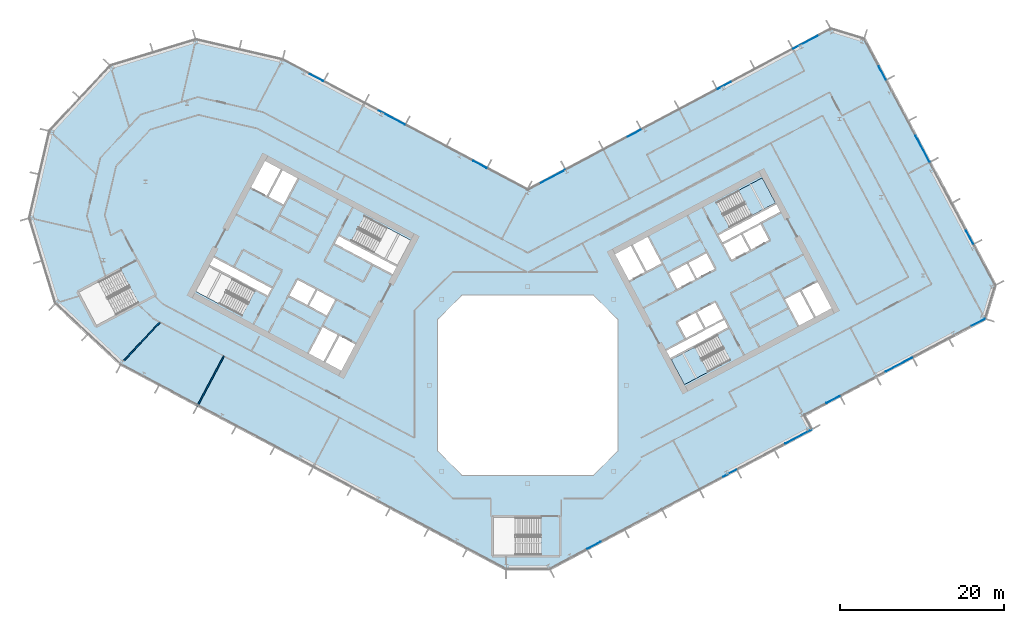
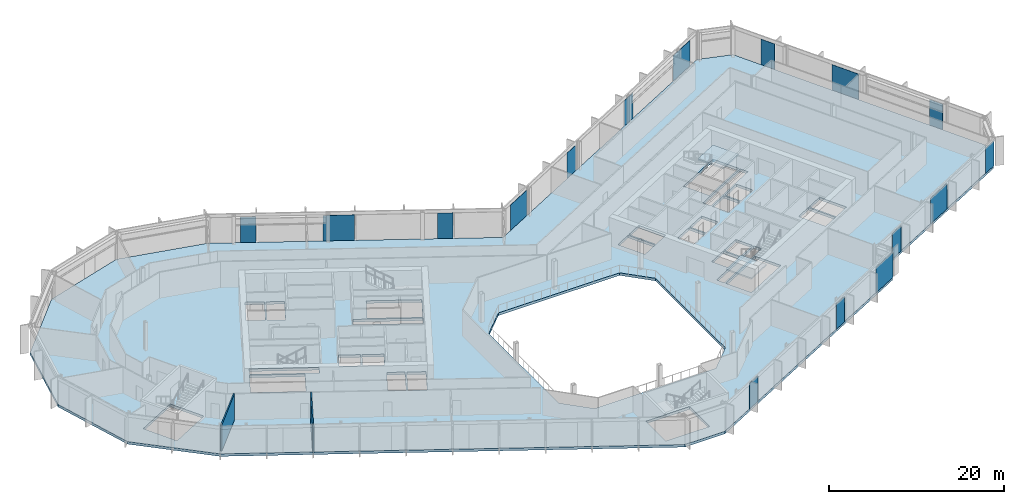
# One storey, part 12 of 28: 16 plates, 3 slabs, 2 walls, 7 elements without a shape of their own.
"""IFC4 building model written with IfcOpenShell, lengths in metres."""

import ifcopenshell
import ifcopenshell.guid

model = None  # the IFC model being written
_history = None  # IfcOwnerHistory: only IFC2X3 demands one
_inside = {}  # id of a spatial element -> (the spatial element, [elements in it])
_under = {}  # id of a project, library or spatial element -> (it, [spatial elements below it])
_declared = {}  # id of a project -> (the project, [libraries it declares])
_typed = {}  # id of a type object -> (the type object, [elements of that type])
_made_of = {}  # id of a material, layer set ... -> (it, [elements and type objects made of it])


def new_model(schema):
    """Start an empty IFC model of exactly this schema.

    Asked for "IFC4X3", IfcOpenShell would pick the latest addendum, in which some entities
    have other attributes; the version numbers below select the first issue.
    IFC2X3 requires an IfcOwnerHistory on every rooted entity: one is made here for all.
    """
    global model, _history
    if schema == "IFC4X3":
        model = ifcopenshell.file(schema_version=(4, 3, 0, 0))
    else:
        model = ifcopenshell.file(schema=schema)
    _inside.clear()
    _under.clear()
    _declared.clear()
    _typed.clear()
    _made_of.clear()
    _history = None
    if model.schema == "IFC2X3":
        org = make("IfcOrganization", Name="unknown")
        user = make(
            "IfcPersonAndOrganization",
            ThePerson=make("IfcPerson", FamilyName="unknown"),
            TheOrganization=org,
        )
        app = make(
            "IfcApplication",
            ApplicationDeveloper=org,
            Version="unknown",
            ApplicationFullName="unknown",
            ApplicationIdentifier="unknown",
        )
        _history = make(
            "IfcOwnerHistory",
            OwningUser=user,
            OwningApplication=app,
            ChangeAction="ADDED",
            CreationDate=0,
        )
    return model


def make(cls, **values):
    """One entity of the class cls with the attributes given. An attribute that is None is left unset."""
    return model.create_entity(
        cls, **{name: value for name, value in values.items() if value is not None}
    )


def rooted(cls, **values):
    """An entity with a GlobalId (a new one), such as an element, a storey or a relation."""
    return make(cls, GlobalId=ifcopenshell.guid.new(), OwnerHistory=_history, **values)


def si_unit(unit_type, name, prefix=None):
    """IfcSIUnit, for example si_unit("LENGTHUNIT", "METRE", prefix="MILLI")."""
    return make("IfcSIUnit", UnitType=unit_type, Prefix=prefix, Name=name)


def assignment(units):
    """IfcUnitAssignment: the units of a project."""
    return None if units is None else make("IfcUnitAssignment", Units=units)


def point(xyz):
    """IfcCartesianPoint."""
    return None if xyz is None else make("IfcCartesianPoint", Coordinates=xyz)


def direction(xyz):
    """IfcDirection."""
    return None if xyz is None else make("IfcDirection", DirectionRatios=xyz)


def frame(location, z_axis=None, x_axis=None):
    """IfcAxis2Placement3D, a coordinate frame: its origin and axes. An axis left out is left unset."""
    return make(
        "IfcAxis2Placement3D",
        Location=point(location),
        Axis=direction(z_axis),
        RefDirection=direction(x_axis),
    )


def frame_2d(location, x_axis=None):
    """IfcAxis2Placement2D, a coordinate frame in the plane: its origin and x axis."""
    return make(
        "IfcAxis2Placement2D", Location=point(location), RefDirection=direction(x_axis)
    )


def origin():
    """The frame at (0, 0, 0) with its axes left unset."""
    return frame((0.0, 0.0, 0.0))


def origin_2d():
    """The frame at (0, 0) in the plane with its x axis left unset."""
    return frame_2d((0.0, 0.0))


def place(relative_to, where):
    """IfcLocalPlacement: puts the frame where relative to a parent placement (None: the world)."""
    return make(
        "IfcLocalPlacement", PlacementRelTo=relative_to, RelativePlacement=where
    )


def context(
    kind, dimensions, precision=None, world=None, true_north=None, identifier=None
):
    """IfcGeometricRepresentationContext, for example the 3D "Model" context."""
    return make(
        "IfcGeometricRepresentationContext",
        ContextIdentifier=identifier,
        ContextType=kind,
        CoordinateSpaceDimension=dimensions,
        Precision=precision,
        WorldCoordinateSystem=world,
        TrueNorth=true_north,
    )


def subcontext(parent, identifier, kind, view, scale=None):
    """IfcGeometricRepresentationSubContext, for example "Body" below "Model"."""
    return make(
        "IfcGeometricRepresentationSubContext",
        ContextIdentifier=identifier,
        ContextType=kind,
        ParentContext=parent,
        TargetScale=scale,
        TargetView=view,
    )


def project(units=None, contexts=None):
    """IfcProject with its units and contexts."""
    return rooted(
        "IfcProject",
        Name="project",
        RepresentationContexts=contexts,
        UnitsInContext=assignment(units),
    )


def spatial(cls, under=None, at=None, **own):
    """A site, building, storey or space (cls), placed at a placement, below another one or the project."""
    s = rooted(cls, ObjectPlacement=at, **own)
    if under is not None:
        _under.setdefault(under.id(), (under, []))[1].append(s)
    return s


def polyline(points):
    """IfcPolyline through the points."""
    return make("IfcPolyline", Points=[point(p) for p in points])


def profile(cls, at=None, kind="AREA", **sizes):
    """A parametric profile (cls). Its sizes go by their IFC names, for example OverallWidth=200.0."""
    return make(cls, ProfileType=kind, Position=at, **sizes)


def rectangle(**sizes):
    """IfcRectangleProfileDef."""
    return profile("IfcRectangleProfileDef", **sizes)


def outline(outer, holes=None, kind="AREA"):
    """IfcArbitraryClosedProfileDef: a profile drawn as a closed curve; with holes, ...WithVoids."""
    if holes is None:
        return make("IfcArbitraryClosedProfileDef", ProfileType=kind, OuterCurve=outer)
    return make(
        "IfcArbitraryProfileDefWithVoids",
        ProfileType=kind,
        OuterCurve=outer,
        InnerCurves=holes,
    )


def extrude(swept, where, along, depth):
    """IfcExtrudedAreaSolid: the profile swept, set in the frame where, extruded along a direction by depth."""
    return make(
        "IfcExtrudedAreaSolid",
        SweptArea=swept,
        Position=where,
        ExtrudedDirection=direction(along),
        Depth=depth,
    )


def shape(context_of_items, identifier, shape_type, items):
    """IfcShapeRepresentation: the items that make up one representation, for example the "Body"."""
    return make(
        "IfcShapeRepresentation",
        ContextOfItems=context_of_items,
        RepresentationIdentifier=identifier,
        RepresentationType=shape_type,
        Items=items,
    )


def material(Name=None, Category=None):
    """IfcMaterial."""
    return make("IfcMaterial", Name=Name, Category=Category)


def layer(
    of_material, thickness, ventilated=None, Name=None, Category=None, Priority=None
):
    """IfcMaterialLayer: one layer of a wall or slab, of a material (None: an air gap)."""
    return make(
        "IfcMaterialLayer",
        Material=of_material,
        LayerThickness=thickness,
        IsVentilated=ventilated,
        Name=Name,
        Category=Category,
        Priority=Priority,
    )


def layer_set(layers, Name=None):
    """IfcMaterialLayerSet."""
    return make("IfcMaterialLayerSet", MaterialLayers=layers, LayerSetName=Name)


def made_of(thing, what):
    """Note that an element or type object is made of a material, layer set ...; save() writes the relation."""
    if what is not None:
        _made_of.setdefault(what.id(), (what, []))[1].append(thing)
    return thing


def type_object(cls, material=None, **own):
    """A type object (cls), such as IfcWallType, which elements share."""
    return made_of(rooted(cls, **own), material)


def element(
    cls,
    number,
    at=None,
    inside=None,
    cuts=None,
    type_object=None,
    material=None,
    context=None,
    identifier="Body",
    shape_type=None,
    held_by="IfcProductDefinitionShape",
    body=None,
    shapes=None,
    **own,
):
    """One element of the class cls, such as IfcWall. Its Tag is "e" and its number.

    at: its placement. inside: the storey or other place that contains it. cuts: it is an
    opening in that element (IfcRelVoidsElement). A single representation is given by context,
    identifier, shape_type and body (its items); several are given by shapes. held_by: the class
    of the entity that holds the representations. save() writes the other relations.
    """
    e = rooted(cls, Tag="e%d" % number, ObjectPlacement=at, **own)
    if body is not None:
        shapes = [shape(context, identifier, shape_type, body)]
    if shapes is not None:
        e.Representation = make(held_by, Representations=shapes)
    if inside is not None:
        _inside.setdefault(inside.id(), (inside, []))[1].append(e)
    if cuts is not None:
        rooted(
            "IfcRelVoidsElement", RelatingBuildingElement=cuts, RelatedOpeningElement=e
        )
    if type_object is not None:
        _typed.setdefault(type_object.id(), (type_object, []))[1].append(e)
    return made_of(e, material)


def aggregate(whole, parts):
    """IfcRelAggregates: a whole, such as a stair, and the parts it consists of."""
    return rooted("IfcRelAggregates", RelatingObject=whole, RelatedObjects=parts)


def save(model, path):
    """Write the relations noted so far, then the file.

    IfcRelAggregates (storeys below a building ...), IfcRelContainedInSpatialStructure (elements
    in a storey), IfcRelDefinesByType, IfcRelAssociatesMaterial and IfcRelDeclares: one each for
    every whole, place, type object, material and project.
    """
    for whole, parts in _under.values():
        aggregate(whole, parts)
    for where, things in _inside.values():
        rooted(
            "IfcRelContainedInSpatialStructure",
            RelatedElements=things,
            RelatingStructure=where,
        )
    for kind, things in _typed.values():
        rooted("IfcRelDefinesByType", RelatedObjects=things, RelatingType=kind)
    for what, things in _made_of.values():
        rooted("IfcRelAssociatesMaterial", RelatedObjects=things, RelatingMaterial=what)
    for by, libraries in _declared.values():
        rooted("IfcRelDeclares", RelatingContext=by, RelatedDefinitions=libraries)
    model.write(path)


model = new_model("IFC4")

# Units and contexts
model_context = context("Model", 3, precision=1e-05, world=origin(), true_north=direction((0.0, 1.0)))
body_context = subcontext(model_context, "Body", "Model", "MODEL_VIEW")
ifc_project = project(units=[si_unit("LENGTHUNIT", "METRE"), si_unit("AREAUNIT", "SQUARE_METRE"), si_unit("VOLUMEUNIT", "CUBIC_METRE"), si_unit("PLANEANGLEUNIT", "RADIAN"), si_unit("MASSUNIT", "GRAM", prefix="KILO")], contexts=[model_context])

# Site, building, storey
site_placement = place(None, origin())
site = spatial("IfcSite", under=ifc_project, at=site_placement, CompositionType="ELEMENT")
building_placement = place(site_placement, origin())
building = spatial("IfcBuilding", under=site, at=building_placement, Name="Cormorant Relay Tower", CompositionType="ELEMENT")
storey_placement = place(building_placement, frame((0.0, 0.0, 130.199951171875)))
storey = spatial("IfcBuildingStorey", under=building, at=storey_placement, Name="L26", CompositionType="ELEMENT", Elevation=130.199951171875)

# Curtain wall, plates
ifc_material_1 = material(Name="Aluminium 6063-T6 anodised bronze", Category="aluminium")
ifc_layer_1 = layer(ifc_material_1, 0.199951171875)
ifc_layer_set_1 = layer_set([ifc_layer_1], Name="CW1 unitised bronze curtain wall with vertical fins")
curtain_wall_type = type_object("IfcCurtainWallType", Name="CW1 unitised bronze curtain wall with vertical fins", PredefinedType="NOTDEFINED", material=ifc_layer_set_1)
curtain_wall_1_placement = place(storey_placement, origin())
curtain_wall_1 = element("IfcCurtainWall", 1, at=curtain_wall_1_placement, inside=storey, type_object=curtain_wall_type, Name="CW1 curtain wall 2", PredefinedType="NOTDEFINED")
ifc_material_2 = material(Name="Tinted laminated glass", Category="glass")
ifc_layer_2 = layer(ifc_material_2, 0.0400390625)
ifc_layer_set_2 = layer_set([ifc_layer_2], Name="CW1 tinted vision panel 1800 module")
plate_type_1 = type_object("IfcPlateType", Name="CW1 tinted vision panel 1800 module", PredefinedType="CURTAIN_PANEL", material=ifc_layer_set_2)
plate_1_placement = place(storey_placement, frame((8.080810546875, -19.510009765625, 0.0), z_axis=(0.0, 0.0, 1.0), x_axis=(0.882947592859, 0.469471562786, 0.0)))
plate_1 = element("IfcPlate", 2, at=plate_1_placement, type_object=plate_type_1, Name="CW1 panel V01", PredefinedType="CURTAIN_PANEL", context=body_context, shape_type="SweptSolid", body=[
    extrude(rectangle(XDim=1.800048828125, YDim=0.0400390625, at=origin_2d()), origin(), (0.0, 0.0, 1.0), 3.550048828125),
])
plate_2_placement = place(storey_placement, frame((24.6064453125, -10.72314453125, 0.0), z_axis=(0.0, 0.0, 1.0), x_axis=(0.882947592859, 0.469471562786, 0.0)))
plate_2 = element("IfcPlate", 3, at=plate_2_placement, type_object=plate_type_1, Name="CW1 panel V04", PredefinedType="CURTAIN_PANEL", context=body_context, shape_type="SweptSolid", body=[
    extrude(rectangle(XDim=1.800048828125, YDim=0.0400390625, at=origin_2d()), origin(), (0.0, 0.0, 1.0), 3.550048828125),
])

curtain_wall_2_placement = place(storey_placement, origin())
curtain_wall_2 = element("IfcCurtainWall", 4, at=curtain_wall_2_placement, inside=storey, type_object=curtain_wall_type, Name="CW1 curtain wall 4", PredefinedType="NOTDEFINED")
plate_3_placement = place(storey_placement, frame((37.205810546875, -1.7587890625, 0.0), z_axis=(0.0, 0.0, 1.0), x_axis=(0.882947592859, 0.469471562786, 0.0)))
plate_3 = element("IfcPlate", 5, at=plate_3_placement, type_object=plate_type_1, Name="CW1 panel V01", PredefinedType="CURTAIN_PANEL", context=body_context, shape_type="SweptSolid", body=[
    extrude(rectangle(XDim=1.800048828125, YDim=0.0400390625, at=origin_2d()), origin(), (0.0, 0.0, 1.0), 3.550048828125),
])
plate_4_placement = place(storey_placement, frame((54.930908203125, 7.665771484375, 0.0), z_axis=(0.0, 0.0, 1.0), x_axis=(0.882947592859, 0.469471562786, 0.0)))
plate_4 = element("IfcPlate", 6, at=plate_4_placement, type_object=plate_type_1, Name="CW1 panel V05", PredefinedType="CURTAIN_PANEL", context=body_context, shape_type="SweptSolid", body=[
    extrude(rectangle(XDim=1.800048828125, YDim=0.0400390625, at=origin_2d()), origin(), (0.0, 0.0, 1.0), 3.550048828125),
])

curtain_wall_3_placement = place(storey_placement, origin())
curtain_wall_3 = element("IfcCurtainWall", 7, at=curtain_wall_3_placement, inside=storey, type_object=curtain_wall_type, Name="CW1 curtain wall 6", PredefinedType="NOTDEFINED")
plate_5_placement = place(storey_placement, frame((53.856201171875, 18.036865234375, 0.0), z_axis=(0.0, 0.0, 1.0), x_axis=(-0.469471562786, 0.882947592859, 0.0)))
plate_5 = element("IfcPlate", 8, at=plate_5_placement, type_object=plate_type_1, Name="CW1 panel V01", PredefinedType="CURTAIN_PANEL", context=body_context, shape_type="SweptSolid", body=[
    extrude(rectangle(XDim=1.800048828125, YDim=0.0400390625, at=origin_2d()), origin(), (0.0, 0.0, 1.0), 3.550048828125),
])
plate_6_placement = place(storey_placement, frame((43.21484375, 38.05029296875, 0.0), z_axis=(0.0, 0.0, 1.0), x_axis=(-0.469471562786, 0.882947592859, 0.0)))
plate_6 = element("IfcPlate", 9, at=plate_6_placement, type_object=plate_type_1, Name="CW1 panel V05", PredefinedType="CURTAIN_PANEL", context=body_context, shape_type="SweptSolid", body=[
    extrude(rectangle(XDim=1.800048828125, YDim=0.0400390625, at=origin_2d()), origin(), (0.0, 0.0, 1.0), 3.550048828125),
])

curtain_wall_4_placement = place(storey_placement, origin())
curtain_wall_4 = element("IfcCurtainWall", 10, at=curtain_wall_4_placement, inside=storey, type_object=curtain_wall_type, Name="CW1 curtain wall 8", PredefinedType="NOTDEFINED")
plate_7_placement = place(storey_placement, frame((23.937255859375, 36.5341796875, 0.0), z_axis=(0.0, 0.0, 1.0), x_axis=(-0.882947592859, -0.469471562786, 0.0)))
plate_7 = element("IfcPlate", 11, at=plate_7_placement, type_object=plate_type_1, Name="CW1 panel V03", PredefinedType="CURTAIN_PANEL", context=body_context, shape_type="SweptSolid", body=[
    extrude(rectangle(XDim=1.800048828125, YDim=0.0400390625, at=origin_2d()), origin(), (0.0, 0.0, 1.0), 3.550048828125),
])
plate_8_placement = place(storey_placement, frame((12.981201171875, 30.708984375, 0.0), z_axis=(0.0, 0.0, 1.0), x_axis=(-0.882947592859, -0.469471562786, 0.0)))
plate_8 = element("IfcPlate", 12, at=plate_8_placement, type_object=plate_type_1, Name="CW1 panel V05", PredefinedType="CURTAIN_PANEL", context=body_context, shape_type="SweptSolid", body=[
    extrude(rectangle(XDim=1.800048828125, YDim=0.0400390625, at=origin_2d()), origin(), (0.0, 0.0, 1.0), 3.550048828125),
])

curtain_wall_5_placement = place(storey_placement, origin())
curtain_wall_5 = element("IfcCurtainWall", 13, at=curtain_wall_5_placement, inside=storey, type_object=curtain_wall_type, Name="CW1 curtain wall 9", PredefinedType="NOTDEFINED")
plate_9_placement = place(storey_placement, frame((-5.830322265625, 26.90673828125, 0.0), z_axis=(0.0, 0.0, 1.0), x_axis=(-0.882947592859, 0.469471562786, 0.0)))
plate_9 = element("IfcPlate", 14, at=plate_9_placement, type_object=plate_type_1, Name="CW1 panel V01", PredefinedType="CURTAIN_PANEL", context=body_context, shape_type="SweptSolid", body=[
    extrude(rectangle(XDim=1.800048828125, YDim=0.0400390625, at=origin_2d()), origin(), (0.0, 0.0, 1.0), 3.550048828125),
])
plate_10_placement = place(storey_placement, frame((-25.746337890625, 37.49609375, 0.0), z_axis=(0.0, 0.0, 1.0), x_axis=(-0.882947592859, 0.469471562786, 0.0)))
plate_10 = element("IfcPlate", 15, at=plate_10_placement, type_object=plate_type_1, Name="CW1 panel V05", PredefinedType="CURTAIN_PANEL", context=body_context, shape_type="SweptSolid", body=[
    extrude(rectangle(XDim=1.800048828125, YDim=0.0400390625, at=origin_2d()), origin(), (0.0, 0.0, 1.0), 3.550048828125),
])

# Plate
ifc_material_3 = material(Name="Tinted laminated glass", Category="glass")
ifc_layer_3 = layer(ifc_material_3, 0.0400390625)
ifc_layer_set_3 = layer_set([ifc_layer_3], Name="CW1 tinted vision panel 3600 module")
plate_type_2 = type_object("IfcPlateType", Name="CW1 tinted vision panel 3600 module", PredefinedType="CURTAIN_PANEL", material=ifc_layer_set_3)
plate_11_placement = place(storey_placement, frame((33.00146484375, -6.259521484375, 0.0), z_axis=(0.0, 0.0, 1.0), x_axis=(0.882947592859, 0.469471562786, 0.0)))
plate_11 = element("IfcPlate", 16, at=plate_11_placement, type_object=plate_type_2, Name="CW1 panel V06", PredefinedType="CURTAIN_PANEL", context=body_context, shape_type="SweptSolid", body=[
    extrude(rectangle(XDim=3.60009765625, YDim=0.0400390625, at=origin_2d()), origin(), (0.0, 0.0, 1.0), 3.550048828125),
])

aggregate(curtain_wall_1, [plate_1, plate_2, plate_11])

plate_12_placement = place(storey_placement, frame((45.240478515625, 2.513427734375, 0.0), z_axis=(0.0, 0.0, 1.0), x_axis=(0.882947592859, 0.469471562786, 0.0)))
plate_12 = element("IfcPlate", 17, at=plate_12_placement, type_object=plate_type_2, Name="CW1 panel V03", PredefinedType="CURTAIN_PANEL", context=body_context, shape_type="SweptSolid", body=[
    extrude(rectangle(XDim=3.60009765625, YDim=0.0400390625, at=origin_2d()), origin(), (0.0, 0.0, 1.0), 3.550048828125),
])

aggregate(curtain_wall_2, [plate_3, plate_12, plate_4])

plate_13_placement = place(storey_placement, frame((48.113037109375, 28.83837890625, 0.0), z_axis=(0.0, 0.0, 1.0), x_axis=(-0.469471562786, 0.882947592859, 0.0)))
plate_13 = element("IfcPlate", 18, at=plate_13_placement, type_object=plate_type_2, Name="CW1 panel V03", PredefinedType="CURTAIN_PANEL", context=body_context, shape_type="SweptSolid", body=[
    extrude(rectangle(XDim=3.60009765625, YDim=0.0400390625, at=origin_2d()), origin(), (0.0, 0.0, 1.0), 3.550048828125),
])

aggregate(curtain_wall_3, [plate_5, plate_13, plate_6])

plate_14_placement = place(storey_placement, frame((33.96630859375, 41.86669921875, 0.0), z_axis=(0.0, 0.0, 1.0), x_axis=(-0.882947592859, -0.469471562786, 0.0)))
plate_14 = element("IfcPlate", 19, at=plate_14_placement, type_object=plate_type_2, Name="CW1 panel V01", PredefinedType="CURTAIN_PANEL", context=body_context, shape_type="SweptSolid", body=[
    extrude(rectangle(XDim=3.60009765625, YDim=0.0400390625, at=origin_2d()), origin(), (0.0, 0.0, 1.0), 3.550048828125),
])

plate_15_placement = place(storey_placement, frame((2.9521484375, 25.37646484375, 0.0), z_axis=(0.0, 0.0, 1.0), x_axis=(-0.882947592859, -0.469471562786, 0.0)))
plate_15 = element("IfcPlate", 20, at=plate_15_placement, type_object=plate_type_2, Name="CW1 panel V07", PredefinedType="CURTAIN_PANEL", context=body_context, shape_type="SweptSolid", body=[
    extrude(rectangle(XDim=3.60009765625, YDim=0.0400390625, at=origin_2d()), origin(), (0.0, 0.0, 1.0), 3.550048828125),
])

aggregate(curtain_wall_4, [plate_14, plate_7, plate_8, plate_15])

plate_16_placement = place(storey_placement, frame((-16.5830078125, 32.6240234375, 0.0), z_axis=(0.0, 0.0, 1.0), x_axis=(-0.882947592859, 0.469471562786, 0.0)))
plate_16 = element("IfcPlate", 21, at=plate_16_placement, type_object=plate_type_2, Name="CW1 panel V03", PredefinedType="CURTAIN_PANEL", context=body_context, shape_type="SweptSolid", body=[
    extrude(rectangle(XDim=3.60009765625, YDim=0.0400390625, at=origin_2d()), origin(), (0.0, 0.0, 1.0), 3.550048828125),
])

aggregate(curtain_wall_5, [plate_9, plate_16, plate_10])

# Stair, slab
ifc_material_4 = material(Name="Concrete 40 MPa", Category="concrete")
stair_type = type_object("IfcStairType", Name="Exit stair 1500", PredefinedType="HALF_TURN_STAIR", material=ifc_material_4)
stair_1_placement = place(storey_placement, origin())
stair_1 = element("IfcStair", 22, at=stair_1_placement, inside=storey, type_object=stair_type, Name="L26 Stair", PredefinedType="HALF_TURN_STAIR")
ifc_material_5 = material(Name="Concrete 40 MPa", Category="concrete")
ifc_layer_4 = layer(ifc_material_5, 0.199951171875)
ifc_layer_set_4 = layer_set([ifc_layer_4], Name="Exit stair landing 200")
slab_type_1 = type_object("IfcSlabType", Name="Exit stair landing 200", PredefinedType="LANDING", material=ifc_layer_set_4)
slab_1_placement = place(storey_placement, frame((0.0, 0.0, 1.800048828125)))
slab_1 = element("IfcSlab", 23, at=slab_1_placement, type_object=slab_type_1, Name="B1 landing 1", PredefinedType="LANDING", context=body_context, shape_type="SweptSolid", body=[
    extrude(outline(polyline([(20.36767578125, 4.6572265625), (17.48046875, 3.1220703125), (19.10009765625, 0.075927734375), (21.9873046875, 1.611083984375), (20.36767578125, 4.6572265625)])), origin(), (0.0, 0.0, 1.0), 0.199951171875),
])
aggregate(stair_1, [slab_1])

stair_2_placement = place(storey_placement, origin())
stair_2 = element("IfcStair", 24, at=stair_2_placement, inside=storey, type_object=stair_type, Name="L26 Stair", PredefinedType="HALF_TURN_STAIR")
slab_2_placement = place(storey_placement, frame((0.0, 0.0, 1.800048828125)))
slab_2 = element("IfcSlab", 25, at=slab_2_placement, type_object=slab_type_1, Name="B2 landing 1", PredefinedType="LANDING", context=body_context, shape_type="SweptSolid", body=[
    extrude(outline(polyline([(27.3115234375, 20.6943359375), (30.19873046875, 22.2294921875), (28.5791015625, 25.275634765625), (25.69189453125, 23.740478515625), (27.3115234375, 20.6943359375)])), origin(), (0.0, 0.0, 1.0), 0.199951171875),
])
aggregate(stair_2, [slab_2])

# Slab
ifc_material_6 = material(Name="Concrete 40 MPa", Category="concrete")
ifc_layer_5 = layer(ifc_material_6, 0.360107421875)
ifc_layer_set_5 = layer_set([ifc_layer_5], Name="Flat plate 360")
slab_type_2 = type_object("IfcSlabType", Name="Flat plate 360", PredefinedType="FLOOR", material=ifc_layer_set_5)
slab_3_placement = place(storey_placement, frame((0.0, 0.0, -0.35986328125)))
element("IfcSlab", 26, at=slab_3_placement, inside=storey, type_object=slab_type_2, Name="Floor slab L26", PredefinedType="FLOOR", context=body_context, shape_type="SweptSolid", body=[
    extrude(outline(polyline([(-60.7197265625, 20.393310546875), (-58.2744140625, 30.985107421875), (-50.86083984375, 38.935302734375), (-40.465576171875, 42.11328125), (-29.873779296875, 39.668212890625), (0.0, 23.783935546875), (36.937255859375, 43.423828125), (40.99462890625, 42.18359375), (56.95654296875, 12.1630859375), (55.71630859375, 8.10595703125), (33.642578125, -3.630859375), (34.581298828125, -5.396728515625), (2.648681640625, -22.37548828125), (-2.648681640625, -22.37548828125), (-49.591552734375, 2.584228515625), (-57.541748046875, 9.997802734375), (-60.7197265625, 20.393310546875)]), holes=[polyline([(11.0, -8.0), (11.0, 8.0), (8.0, 11.0), (-8.0, 11.0), (-11.0, 8.0), (-11.0, -8.0), (-8.0, -11.0), (8.0, -11.0), (11.0, -8.0)]), polyline([(-4.199951171875, -16.125), (-4.199951171875, -20.675048828125), (1.60009765625, -20.675048828125), (1.60009765625, -16.125), (-4.199951171875, -16.125)]), polyline([(-22.95458984375, 6.03271484375), (-24.668212890625, 2.81005859375), (-22.725830078125, 1.777099609375), (-21.01220703125, 5.0), (-23.04296875, 6.07958984375), (-22.95458984375, 6.03271484375)]), polyline([(-24.985595703125, 7.112548828125), (-26.69921875, 3.889892578125), (-24.844970703125, 2.90380859375), (-23.13134765625, 6.126708984375), (-23.04296875, 6.07958984375), (-24.985595703125, 7.112548828125)]), polyline([(-26.688720703125, 9.660400390625), (-24.481201171875, 8.48681640625), (-23.448486328125, 10.42919921875), (-25.656005859375, 11.602783203125), (-26.688720703125, 9.660400390625)]), polyline([(-49.57861328125, 14.0537109375), (-54.69970703125, 11.330810546875), (-52.563720703125, 7.3134765625), (-47.442626953125, 10.036376953125), (-49.57861328125, 14.0537109375)]), polyline([(-28.039794921875, 12.870361328125), (-29.07275390625, 10.927978515625), (-26.865234375, 9.75439453125), (-25.83251953125, 11.69677734375), (-28.039794921875, 12.870361328125)]), polyline([(-38.847900390625, 14.483154296875), (-40.46728515625, 11.43701171875), (-34.860595703125, 8.455810546875), (-33.240966796875, 11.502197265625), (-38.847900390625, 14.483154296875)]), polyline([(-38.260986328125, 15.5869140625), (-38.75390625, 14.659912109375), (-31.690185546875, 10.904052734375), (-31.197265625, 11.8310546875), (-38.260986328125, 15.5869140625)]), polyline([(14.3056640625, 13.779052734375), (12.592041015625, 17.001708984375), (10.649658203125, 15.968994140625), (12.36328125, 12.74609375), (14.39404296875, 13.825927734375), (14.3056640625, 13.779052734375)]), polyline([(16.33642578125, 14.85888671875), (14.622802734375, 18.08154296875), (12.768798828125, 17.095703125), (14.482421875, 13.872802734375), (14.39404296875, 13.825927734375), (16.33642578125, 14.85888671875)]), polyline([(-16.481689453125, 13.520263671875), (-15.989013671875, 14.447509765625), (-23.052490234375, 18.203125), (-23.54541015625, 17.276123046875), (-16.481689453125, 13.520263671875)]), polyline([(-21.501708984375, 17.605224609375), (-15.89501953125, 14.6240234375), (-14.275390625, 17.670166015625), (-19.882080078125, 20.6513671875), (-21.501708984375, 17.605224609375)]), polyline([(-31.611572265625, 22.980712890625), (-29.75732421875, 21.99462890625), (-28.043701171875, 25.217529296875), (-29.89794921875, 26.203369140625), (-31.611572265625, 22.980712890625)]), polyline([(-32.01708984375, 27.330078125), (-33.73046875, 24.107421875), (-31.7880859375, 23.074462890625), (-30.074462890625, 26.29736328125), (-32.01708984375, 27.330078125)]), polyline([(17.48046875, 3.1220703125), (19.10009765625, 0.07568359375), (24.706787109375, 3.056884765625), (23.087158203125, 6.10302734375), (17.48046875, 3.1220703125)]), polyline([(16.8935546875, 4.2255859375), (17.386474609375, 3.298583984375), (24.4501953125, 7.054443359375), (23.957275390625, 7.9814453125), (16.8935546875, 4.2255859375)]), polyline([(20.446533203125, 8.8330078125), (18.239013671875, 7.6591796875), (19.27197265625, 5.716796875), (21.479248046875, 6.890380859375), (20.446533203125, 8.8330078125)]), polyline([(20.623046875, 8.927001953125), (21.656005859375, 6.984375), (23.86328125, 8.158203125), (22.830322265625, 10.1005859375), (20.623046875, 8.927001953125)]), polyline([(33.197021484375, 11.478515625), (31.3427734375, 10.49267578125), (33.056396484375, 7.27001953125), (34.910400390625, 8.255859375), (33.197021484375, 11.478515625)]), polyline([(33.37353515625, 11.572509765625), (35.087158203125, 8.349609375), (37.029541015625, 9.382568359375), (35.31591796875, 12.605224609375), (33.37353515625, 11.572509765625)]), polyline([(17.19384765625, 13.67236328125), (18.2265625, 11.72998046875), (20.43408203125, 12.903564453125), (19.401123046875, 14.84619140625), (17.19384765625, 13.67236328125)]), polyline([(20.610595703125, 12.99755859375), (22.81787109375, 14.171142578125), (21.78515625, 16.113525390625), (19.57763671875, 14.93994140625), (20.610595703125, 12.99755859375)]), polyline([(26.023193359375, 18.3671875), (23.81591796875, 17.193359375), (24.8486328125, 15.2509765625), (27.05615234375, 16.424560546875), (26.023193359375, 18.3671875)]), polyline([(29.440185546875, 17.692138671875), (28.4072265625, 19.634765625), (26.19970703125, 18.4609375), (27.232666015625, 16.5185546875), (29.440185546875, 17.692138671875)]), polyline([(30.78564453125, 21.125732421875), (30.29248046875, 22.052978515625), (23.22900390625, 18.297119140625), (23.721923828125, 17.3701171875), (30.78564453125, 21.125732421875)]), polyline([(24.592041015625, 19.248291015625), (30.19873046875, 22.2294921875), (28.5791015625, 25.275634765625), (22.972412109375, 22.29443359375), (24.592041015625, 19.248291015625)])]), origin(), (0.0, 0.0, 1.0), 0.35986328125),
])

# Walls
ifc_material_7 = material(Name="Gypsum board partition")
ifc_layer_6 = layer(ifc_material_7, 0.14990234375)
ifc_layer_set_6 = layer_set([ifc_layer_6], Name="Tenant partition 150")
wall_type = type_object("IfcWallType", Name="Tenant partition 150", PredefinedType="PARTITIONING", material=ifc_layer_set_6)
wall_1_placement = place(storey_placement, frame((-44.825927734375, 7.695068359375, 0.0), z_axis=(0.0, 0.0, 1.0), x_axis=(-0.681994231605, -0.731357551446, 0.0)))
element("IfcWall", 27, at=wall_1_placement, inside=storey, type_object=wall_type, Name="wall/L26/part/011", PredefinedType="PARTITIONING", context=body_context, shape_type="SweptSolid", body=[
    extrude(rectangle(XDim=6.4443359375, YDim=0.14990234375, at=frame_2d((3.22216796875, 0.0))), origin(), (0.0, 0.0, 1.0), 3.64013671875),
])
wall_2_placement = place(storey_placement, frame((-37.033935546875, 3.552001953125, 0.0), z_axis=(0.0, 0.0, 1.0), x_axis=(-0.469541311651, -0.882910503196, 0.0)))
element("IfcWall", 28, at=wall_2_placement, inside=storey, type_object=wall_type, Name="wall/L26/part/012", PredefinedType="PARTITIONING", context=body_context, shape_type="SweptSolid", body=[
    extrude(rectangle(XDim=6.94970703125, YDim=0.14990234375, at=frame_2d((3.474853515625, 0.0))), origin(), (0.0, 0.0, 1.0), 3.64013671875),
])

save(model, "model.ifc")
